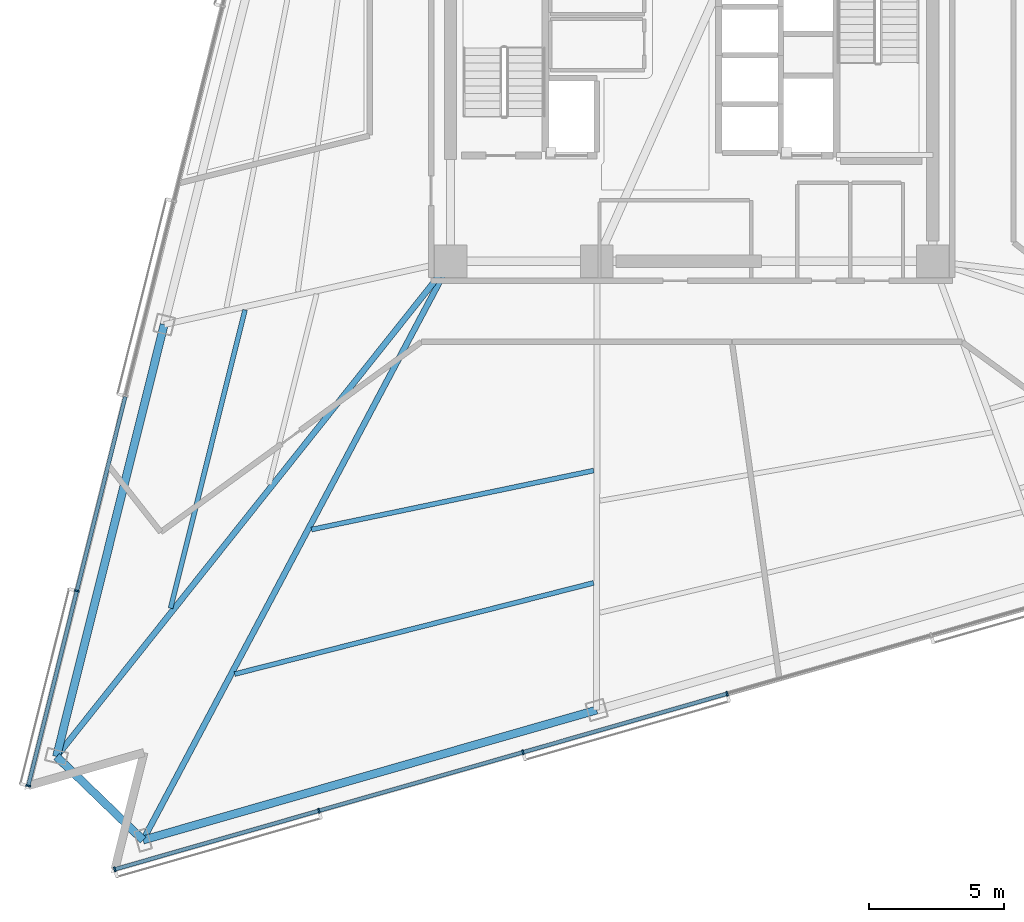
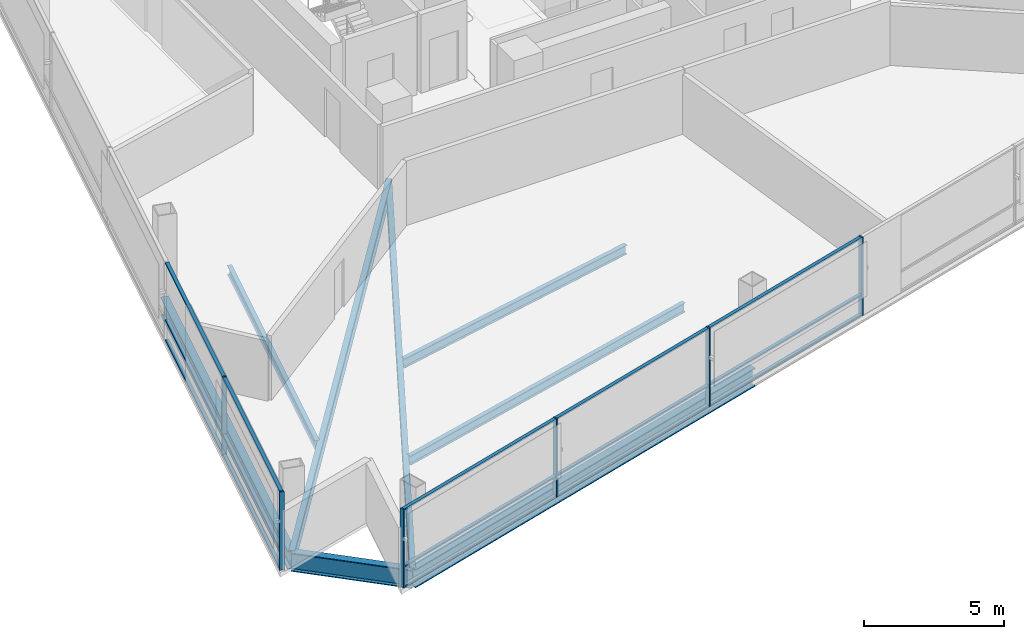
# One storey, part 2 of 18: 21 members, 8 beams, 2 elements without a shape of their own.
"""IFC4 building model written with IfcOpenShell, lengths in metres."""

from ifc_helpers import new_model, si_unit, direction, frame, origin, origin_2d, place, context, subcontext, project, spatial, rectangle, i_section, extrude, material, layer, layer_set, material_profile, profile_set, type_object, element, aggregate, save


model = new_model("IFC4")

# Units and contexts
model_context = context("Model", 3, precision=1e-05, world=origin(), true_north=direction((0.0, 1.0)))
body_context = subcontext(model_context, "Body", "Model", "MODEL_VIEW")
ifc_project = project(units=[si_unit("LENGTHUNIT", "METRE"), si_unit("AREAUNIT", "SQUARE_METRE"), si_unit("VOLUMEUNIT", "CUBIC_METRE"), si_unit("PLANEANGLEUNIT", "RADIAN"), si_unit("MASSUNIT", "GRAM", prefix="KILO")], contexts=[model_context])

# Site, building, storey
site_placement = place(None, origin())
site = spatial("IfcSite", under=ifc_project, at=site_placement, CompositionType="ELEMENT")
building_placement = place(site_placement, origin())
building = spatial("IfcBuilding", under=site, at=building_placement, Name="Tharavind Bronze Gate", CompositionType="ELEMENT")
storey_placement = place(building_placement, frame((0.0, 0.0, 100.5)))
storey = spatial("IfcBuildingStorey", under=building, at=storey_placement, Name="L25", CompositionType="ELEMENT", Elevation=100.5)

# Curtain wall, members
ifc_material_1 = material(Name="Anodised Bronze Aluminium", Category="aluminium")
ifc_layer = layer(ifc_material_1, 0.219970703125)
ifc_layer_set = layer_set([ifc_layer], Name="Anodised Bronze Aluminium")
curtain_wall_type = type_object("IfcCurtainWallType", Name="UNITISED CURTAIN WALL LOWER OFFICE", PredefinedType="USERDEFINED", material=ifc_layer_set)
curtain_wall_1_placement = place(storey_placement, origin())
curtain_wall_1 = element("IfcCurtainWall", 1, at=curtain_wall_1_placement, inside=storey, type_object=curtain_wall_type, Name="L25 unitised curtain wall lower office CW-L25-S1", ObjectType="UNITISED CURTAIN WALL", PredefinedType="USERDEFINED")
member_type_1 = type_object("IfcMemberType", Name="CURTAIN WALL BRONZE MULLION 65X180", PredefinedType="MULLION", material=ifc_material_1)
member_1_placement = place(storey_placement, frame((-22.695556640625, -19.76953125, 0.0), z_axis=(0.0, 0.0, 1.0), x_axis=(-0.2419218956, -0.970295726276, 0.0)))
member_1 = element("IfcMember", 2, at=member_1_placement, type_object=member_type_1, Name="CW-L25-S1 mullion 7", PredefinedType="MULLION", context=body_context, shape_type="SweptSolid", body=[
    extrude(rectangle(XDim=0.06494140625, YDim=0.179931640625, at=origin_2d()), origin(), (0.0, 0.0, 1.0), 3.409912109375),
])
member_2_placement = place(storey_placement, frame((-24.4892578125, -26.963623046875, 0.0), z_axis=(0.0, 0.0, 1.0), x_axis=(-0.2419218956, -0.970295726276, 0.0)))
member_2 = element("IfcMember", 3, at=member_2_placement, type_object=member_type_1, Name="CW-L25-S1 mullion 8", PredefinedType="MULLION", context=body_context, shape_type="SweptSolid", body=[
    extrude(rectangle(XDim=0.06494140625, YDim=0.179931640625, at=origin_2d()), origin(), (0.0, 0.0, 1.0), 3.409912109375),
])

curtain_wall_2_placement = place(storey_placement, origin())
curtain_wall_2 = element("IfcCurtainWall", 4, at=curtain_wall_2_placement, inside=storey, type_object=curtain_wall_type, Name="L25 unitised curtain wall lower office CW-L25-S2", ObjectType="UNITISED CURTAIN WALL", PredefinedType="USERDEFINED")
member_3_placement = place(storey_placement, frame((-21.29541015625, -30.0478515625, 0.0), z_axis=(0.0, 0.0, 1.0), x_axis=(0.961261695938, 0.275637355817, 0.0)))
member_3 = element("IfcMember", 5, at=member_3_placement, type_object=member_type_1, Name="CW-L25-S2 mullion 1", PredefinedType="MULLION", context=body_context, shape_type="SweptSolid", body=[
    extrude(rectangle(XDim=0.06494140625, YDim=0.179931640625, at=origin_2d()), origin(), (0.0, 0.0, 1.0), 3.409912109375),
])
member_4_placement = place(storey_placement, frame((-13.761962890625, -27.8876953125, 0.0), z_axis=(0.0, 0.0, 1.0), x_axis=(0.961261695938, 0.275637355817, 0.0)))
member_4 = element("IfcMember", 6, at=member_4_placement, type_object=member_type_1, Name="CW-L25-S2 mullion 2", PredefinedType="MULLION", context=body_context, shape_type="SweptSolid", body=[
    extrude(rectangle(XDim=0.06494140625, YDim=0.179931640625, at=origin_2d()), origin(), (0.0, 0.0, 1.0), 3.409912109375),
])
member_5_placement = place(storey_placement, frame((-6.228515625, -25.727294921875, 0.0), z_axis=(0.0, 0.0, 1.0), x_axis=(0.961261695938, 0.275637355817, 0.0)))
member_5 = element("IfcMember", 7, at=member_5_placement, type_object=member_type_1, Name="CW-L25-S2 mullion 3", PredefinedType="MULLION", context=body_context, shape_type="SweptSolid", body=[
    extrude(rectangle(XDim=0.06494140625, YDim=0.179931640625, at=origin_2d()), origin(), (0.0, 0.0, 1.0), 3.409912109375),
])
member_6_placement = place(storey_placement, frame((1.304931640625, -23.567138671875, 0.0), z_axis=(0.0, 0.0, 1.0), x_axis=(0.961261695938, 0.275637355817, 0.0)))
member_6 = element("IfcMember", 8, at=member_6_placement, type_object=member_type_1, Name="CW-L25-S2 mullion 4", PredefinedType="MULLION", context=body_context, shape_type="SweptSolid", body=[
    extrude(rectangle(XDim=0.06494140625, YDim=0.179931640625, at=origin_2d()), origin(), (0.0, 0.0, 1.0), 3.409912109375),
])

# Member
member_type_2 = type_object("IfcMemberType", Name="CURTAIN WALL BRONZE TRANSOM 65X140", PredefinedType="USERDEFINED", material=ifc_material_1)
member_7_placement = place(storey_placement, frame((-21.798828125, -16.172607421875, 0.0), z_axis=(0.0, 0.0, 1.0), x_axis=(-0.2419218956, -0.970295726276, 0.0)))
member_7 = element("IfcMember", 9, at=member_7_placement, type_object=member_type_2, Name="CW-L25-S1 transom TB6", ObjectType="TRANSOM", PredefinedType="USERDEFINED", context=body_context, shape_type="SweptSolid", body=[
    extrude(rectangle(XDim=7.361083984375, YDim=0.139892578125, at=origin_2d()), origin(), (0.0, 0.0, 1.0), 0.06494140625),
])

member_8_placement = place(storey_placement, frame((-21.798828125, -16.172607421875, 0.867431640625), z_axis=(0.0, 0.0, 1.0), x_axis=(-0.2419218956, -0.970295726276, 0.0)))
member_8 = element("IfcMember", 10, at=member_8_placement, type_object=member_type_2, Name="CW-L25-S1 transom TS6", ObjectType="TRANSOM", PredefinedType="USERDEFINED", context=body_context, shape_type="SweptSolid", body=[
    extrude(rectangle(XDim=7.361083984375, YDim=0.139892578125, at=origin_2d()), origin(), (0.0, 0.0, 1.0), 0.06494140625),
])

member_9_placement = place(storey_placement, frame((-21.798828125, -16.172607421875, 3.344970703125), z_axis=(0.0, 0.0, 1.0), x_axis=(-0.2419218956, -0.970295726276, 0.0)))
member_9 = element("IfcMember", 11, at=member_9_placement, type_object=member_type_2, Name="CW-L25-S1 transom TT6", ObjectType="TRANSOM", PredefinedType="USERDEFINED", context=body_context, shape_type="SweptSolid", body=[
    extrude(rectangle(XDim=7.361083984375, YDim=0.139892578125, at=origin_2d()), origin(), (0.0, 0.0, 1.0), 0.06494140625),
])

member_10_placement = place(storey_placement, frame((-23.592529296875, -23.36669921875, 0.0), z_axis=(0.0, 0.0, 1.0), x_axis=(-0.2419218956, -0.970295726276, 0.0)))
member_10 = element("IfcMember", 12, at=member_10_placement, type_object=member_type_2, Name="CW-L25-S1 transom TB7", ObjectType="TRANSOM", PredefinedType="USERDEFINED", context=body_context, shape_type="SweptSolid", body=[
    extrude(rectangle(XDim=7.361083984375, YDim=0.139892578125, at=origin_2d()), origin(), (0.0, 0.0, 1.0), 0.06494140625),
])

member_11_placement = place(storey_placement, frame((-23.592529296875, -23.36669921875, 0.867431640625), z_axis=(0.0, 0.0, 1.0), x_axis=(-0.2419218956, -0.970295726276, 0.0)))
member_11 = element("IfcMember", 13, at=member_11_placement, type_object=member_type_2, Name="CW-L25-S1 transom TS7", ObjectType="TRANSOM", PredefinedType="USERDEFINED", context=body_context, shape_type="SweptSolid", body=[
    extrude(rectangle(XDim=7.361083984375, YDim=0.139892578125, at=origin_2d()), origin(), (0.0, 0.0, 1.0), 0.06494140625),
])

member_12_placement = place(storey_placement, frame((-23.592529296875, -23.36669921875, 3.344970703125), z_axis=(0.0, 0.0, 1.0), x_axis=(-0.2419218956, -0.970295726276, 0.0)))
member_12 = element("IfcMember", 14, at=member_12_placement, type_object=member_type_2, Name="CW-L25-S1 transom TT7", ObjectType="TRANSOM", PredefinedType="USERDEFINED", context=body_context, shape_type="SweptSolid", body=[
    extrude(rectangle(XDim=7.361083984375, YDim=0.139892578125, at=origin_2d()), origin(), (0.0, 0.0, 1.0), 0.06494140625),
])

aggregate(curtain_wall_1, [member_1, member_2, member_7, member_8, member_9, member_10, member_11, member_12])

member_13_placement = place(storey_placement, frame((-17.52880859375, -28.9677734375, 0.0), z_axis=(0.0, 0.0, 1.0), x_axis=(0.961261695938, 0.275637355817, 0.0)))
member_13 = element("IfcMember", 15, at=member_13_placement, type_object=member_type_2, Name="CW-L25-S2 transom TB1", ObjectType="TRANSOM", PredefinedType="USERDEFINED", context=body_context, shape_type="SweptSolid", body=[
    extrude(rectangle(XDim=7.7841796875, YDim=0.139892578125, at=origin_2d()), origin(), (0.0, 0.0, 1.0), 0.06494140625),
])

member_14_placement = place(storey_placement, frame((-17.52880859375, -28.9677734375, 0.867431640625), z_axis=(0.0, 0.0, 1.0), x_axis=(0.961261695938, 0.275637355817, 0.0)))
member_14 = element("IfcMember", 16, at=member_14_placement, type_object=member_type_2, Name="CW-L25-S2 transom TS1", ObjectType="TRANSOM", PredefinedType="USERDEFINED", context=body_context, shape_type="SweptSolid", body=[
    extrude(rectangle(XDim=7.7841796875, YDim=0.139892578125, at=origin_2d()), origin(), (0.0, 0.0, 1.0), 0.06494140625),
])

member_15_placement = place(storey_placement, frame((-17.52880859375, -28.9677734375, 3.344970703125), z_axis=(0.0, 0.0, 1.0), x_axis=(0.961261695938, 0.275637355817, 0.0)))
member_15 = element("IfcMember", 17, at=member_15_placement, type_object=member_type_2, Name="CW-L25-S2 transom TT1", ObjectType="TRANSOM", PredefinedType="USERDEFINED", context=body_context, shape_type="SweptSolid", body=[
    extrude(rectangle(XDim=7.7841796875, YDim=0.139892578125, at=origin_2d()), origin(), (0.0, 0.0, 1.0), 0.06494140625),
])

member_16_placement = place(storey_placement, frame((-9.995361328125, -26.8076171875, 0.0), z_axis=(0.0, 0.0, 1.0), x_axis=(0.961261695938, 0.275637355817, 0.0)))
member_16 = element("IfcMember", 18, at=member_16_placement, type_object=member_type_2, Name="CW-L25-S2 transom TB2", ObjectType="TRANSOM", PredefinedType="USERDEFINED", context=body_context, shape_type="SweptSolid", body=[
    extrude(rectangle(XDim=7.7841796875, YDim=0.139892578125, at=origin_2d()), origin(), (0.0, 0.0, 1.0), 0.06494140625),
])

member_17_placement = place(storey_placement, frame((-9.995361328125, -26.8076171875, 0.867431640625), z_axis=(0.0, 0.0, 1.0), x_axis=(0.961261695938, 0.275637355817, 0.0)))
member_17 = element("IfcMember", 19, at=member_17_placement, type_object=member_type_2, Name="CW-L25-S2 transom TS2", ObjectType="TRANSOM", PredefinedType="USERDEFINED", context=body_context, shape_type="SweptSolid", body=[
    extrude(rectangle(XDim=7.7841796875, YDim=0.139892578125, at=origin_2d()), origin(), (0.0, 0.0, 1.0), 0.06494140625),
])

member_18_placement = place(storey_placement, frame((-9.995361328125, -26.8076171875, 3.344970703125), z_axis=(0.0, 0.0, 1.0), x_axis=(0.961261695938, 0.275637355817, 0.0)))
member_18 = element("IfcMember", 20, at=member_18_placement, type_object=member_type_2, Name="CW-L25-S2 transom TT2", ObjectType="TRANSOM", PredefinedType="USERDEFINED", context=body_context, shape_type="SweptSolid", body=[
    extrude(rectangle(XDim=7.7841796875, YDim=0.139892578125, at=origin_2d()), origin(), (0.0, 0.0, 1.0), 0.06494140625),
])

member_19_placement = place(storey_placement, frame((-2.4619140625, -24.647216796875, 0.0), z_axis=(0.0, 0.0, 1.0), x_axis=(0.961261695938, 0.275637355817, 0.0)))
member_19 = element("IfcMember", 21, at=member_19_placement, type_object=member_type_2, Name="CW-L25-S2 transom TB3", ObjectType="TRANSOM", PredefinedType="USERDEFINED", context=body_context, shape_type="SweptSolid", body=[
    extrude(rectangle(XDim=7.7841796875, YDim=0.139892578125, at=origin_2d()), origin(), (0.0, 0.0, 1.0), 0.06494140625),
])

member_20_placement = place(storey_placement, frame((-2.4619140625, -24.647216796875, 0.867431640625), z_axis=(0.0, 0.0, 1.0), x_axis=(0.961261695938, 0.275637355817, 0.0)))
member_20 = element("IfcMember", 22, at=member_20_placement, type_object=member_type_2, Name="CW-L25-S2 transom TS3", ObjectType="TRANSOM", PredefinedType="USERDEFINED", context=body_context, shape_type="SweptSolid", body=[
    extrude(rectangle(XDim=7.7841796875, YDim=0.139892578125, at=origin_2d()), origin(), (0.0, 0.0, 1.0), 0.06494140625),
])

member_21_placement = place(storey_placement, frame((-2.4619140625, -24.647216796875, 3.344970703125), z_axis=(0.0, 0.0, 1.0), x_axis=(0.961261695938, 0.275637355817, 0.0)))
member_21 = element("IfcMember", 23, at=member_21_placement, type_object=member_type_2, Name="CW-L25-S2 transom TT3", ObjectType="TRANSOM", PredefinedType="USERDEFINED", context=body_context, shape_type="SweptSolid", body=[
    extrude(rectangle(XDim=7.7841796875, YDim=0.139892578125, at=origin_2d()), origin(), (0.0, 0.0, 1.0), 0.06494140625),
])

aggregate(curtain_wall_2, [member_3, member_4, member_5, member_6, member_13, member_14, member_15, member_16, member_17, member_18, member_19, member_20, member_21])

# Beams
ifc_material_2 = material(Name="Steel S355", Category="steel")
ifc_material_profile_1 = material_profile(ifc_material_2, i_section(OverallWidth=0.219970703125, OverallDepth=0.60009765625, WebThickness=0.011962890625, FlangeThickness=0.01904296875, at=origin_2d()), Name="IPE600")
ifc_profile_set_1 = profile_set([ifc_material_profile_1], Name="Steel S355")
beam_type_1 = type_object("IfcBeamType", Name="PRIMARY GIRDER IPE600", PredefinedType="USERDEFINED", material=ifc_profile_set_1)
beam_1_placement = place(storey_placement, frame((-23.447265625, -25.884521484375, -0.489990234375), z_axis=(0.622600502265, 0.782539848557, 0.0), x_axis=(-0.782539848557, 0.622600502265, 0.0)))
element("IfcBeam", 24, at=beam_1_placement, inside=storey, type_object=beam_type_1, Name="L25 primary girder ipe600 BM-L25-RAD04", ObjectType="GIRDER", PredefinedType="USERDEFINED", context=body_context, shape_type="SweptSolid", body=[
    extrude(i_section(OverallWidth=0.219970703125, OverallDepth=0.60009765625, WebThickness=0.011962890625, FlangeThickness=0.01904296875, at=origin_2d()), origin(), (0.0, 0.0, 1.0), 23.365478515625),
])
beam_2_placement = place(storey_placement, frame((-20.25341796875, -28.96875, -0.489990234375), z_axis=(0.469200962238, 0.883091420542, 0.0), x_axis=(-0.883091420542, 0.469200962238, 0.0)))
element("IfcBeam", 25, at=beam_2_placement, inside=storey, type_object=beam_type_1, Name="L25 primary girder ipe600 BM-L25-RAD05", ObjectType="GIRDER", PredefinedType="USERDEFINED", context=body_context, shape_type="SweptSolid", body=[
    extrude(i_section(OverallWidth=0.219970703125, OverallDepth=0.60009765625, WebThickness=0.011962890625, FlangeThickness=0.01904296875, at=origin_2d()), origin(), (0.0, 0.0, 1.0), 24.197509765625),
])
ifc_material_profile_2 = material_profile(ifc_material_2, i_section(OverallWidth=0.300048828125, OverallDepth=0.800048828125, WebThickness=0.017578125, FlangeThickness=0.032958984375, at=origin_2d()), Name="HE800B")
ifc_profile_set_2 = profile_set([ifc_material_profile_2], Name="Steel S355")
beam_type_2 = type_object("IfcBeamType", Name="RING GIRDER HE800B", PredefinedType="USERDEFINED", material=ifc_profile_set_2)
beam_3_placement = place(storey_placement, frame((-19.4716796875, -9.93896484375, -0.590087890625), z_axis=(-0.24191686251, -0.970296981152, 0.0), x_axis=(0.970296981152, -0.24191686251, 0.0)))
element("IfcBeam", 26, at=beam_3_placement, inside=storey, type_object=beam_type_2, Name="L25 ring girder he800b BM-L25-PRG03", ObjectType="GIRDER", PredefinedType="USERDEFINED", context=body_context, shape_type="SweptSolid", body=[
    extrude(i_section(OverallWidth=0.300048828125, OverallDepth=0.800048828125, WebThickness=0.017578125, FlangeThickness=0.032958984375, at=origin_2d()), origin(), (0.0, 0.0, 1.0), 16.43359375),
])
beam_4_placement = place(storey_placement, frame((-23.447265625, -25.884521484375, -0.590087890625), z_axis=(0.719343662261, -0.694654371299, 0.0), x_axis=(0.694654371299, 0.719343662261, 0.0)))
element("IfcBeam", 27, at=beam_4_placement, inside=storey, type_object=beam_type_2, Name="L25 ring girder he800b BM-L25-PRG04", ObjectType="GIRDER", PredefinedType="USERDEFINED", context=body_context, shape_type="SweptSolid", body=[
    extrude(i_section(OverallWidth=0.300048828125, OverallDepth=0.800048828125, WebThickness=0.017578125, FlangeThickness=0.032958984375, at=origin_2d()), origin(), (0.0, 0.0, 1.0), 4.43994140625),
])
beam_5_placement = place(storey_placement, frame((-20.25341796875, -28.96875, -0.590087890625), z_axis=(0.961261198388, 0.275639090974, 0.0), x_axis=(-0.275639090974, 0.961261198388, 0.0)))
element("IfcBeam", 28, at=beam_5_placement, inside=storey, type_object=beam_type_2, Name="L25 ring girder he800b BM-L25-PRG05", ObjectType="GIRDER", PredefinedType="USERDEFINED", context=body_context, shape_type="SweptSolid", body=[
    extrude(i_section(OverallWidth=0.300048828125, OverallDepth=0.800048828125, WebThickness=0.017578125, FlangeThickness=0.032958984375, at=origin_2d()), origin(), (0.0, 0.0, 1.0), 17.42041015625),
])
ifc_material_profile_3 = material_profile(ifc_material_2, i_section(OverallWidth=0.179931640625, OverallDepth=0.39990234375, WebThickness=0.008544921875, FlangeThickness=0.013427734375, at=origin_2d()), Name="IPE400")
ifc_profile_set_3 = profile_set([ifc_material_profile_3], Name="Steel S355")
beam_type_3 = type_object("IfcBeamType", Name="SECONDARY FLOOR JOIST IPE400", PredefinedType="JOIST", material=ifc_profile_set_3)
beam_6_placement = place(storey_placement, frame((-16.489501953125, -9.3955078125, -0.389892578125), z_axis=(-0.241903146974, -0.970300400641, 0.0), x_axis=(0.970300400641, -0.241903146974, 0.0)))
element("IfcBeam", 29, at=beam_6_placement, inside=storey, type_object=beam_type_3, Name="L25 secondary floor joist ipe400 BM-L25-JSTB03", PredefinedType="JOIST", context=body_context, shape_type="SweptSolid", body=[
    extrude(i_section(OverallWidth=0.179931640625, OverallDepth=0.39990234375, WebThickness=0.008544921875, FlangeThickness=0.013427734375, at=origin_2d()), origin(), (0.0, 0.0, 1.0), 11.35400390625),
])
beam_7_placement = place(storey_placement, frame((-14.035400390625, -17.50634765625, -0.389892578125), z_axis=(0.97881885556, 0.204728229614, 0.0), x_axis=(-0.204728229614, 0.97881885556, 0.0)))
element("IfcBeam", 30, at=beam_7_placement, inside=storey, type_object=beam_type_3, Name="L25 secondary floor joist ipe400 BM-L25-JSTA05", PredefinedType="JOIST", context=body_context, shape_type="SweptSolid", body=[
    extrude(i_section(OverallWidth=0.179931640625, OverallDepth=0.39990234375, WebThickness=0.008544921875, FlangeThickness=0.013427734375, at=origin_2d()), origin(), (0.0, 0.0, 1.0), 10.64306640625),
])
beam_8_placement = place(storey_placement, frame((-16.869873046875, -22.841064453125, -0.389892578125), z_axis=(0.969204659951, 0.246256628601, 0.0), x_axis=(-0.246256628601, 0.969204659951, 0.0)))
element("IfcBeam", 31, at=beam_8_placement, inside=storey, type_object=beam_type_3, Name="L25 secondary floor joist ipe400 BM-L25-JSTB05", PredefinedType="JOIST", context=body_context, shape_type="SweptSolid", body=[
    extrude(i_section(OverallWidth=0.179931640625, OverallDepth=0.39990234375, WebThickness=0.008544921875, FlangeThickness=0.013427734375, at=origin_2d()), origin(), (0.0, 0.0, 1.0), 13.67138671875),
])

save(model, "model.ifc")
